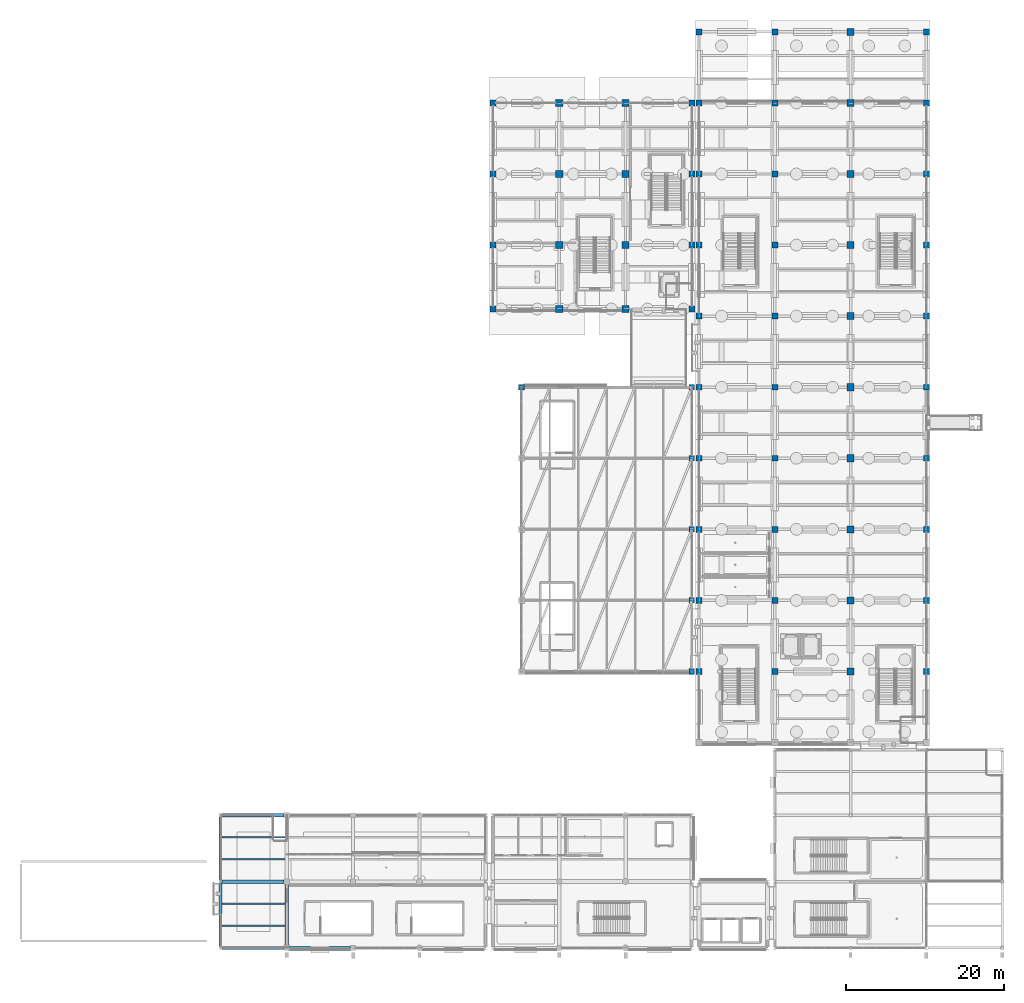
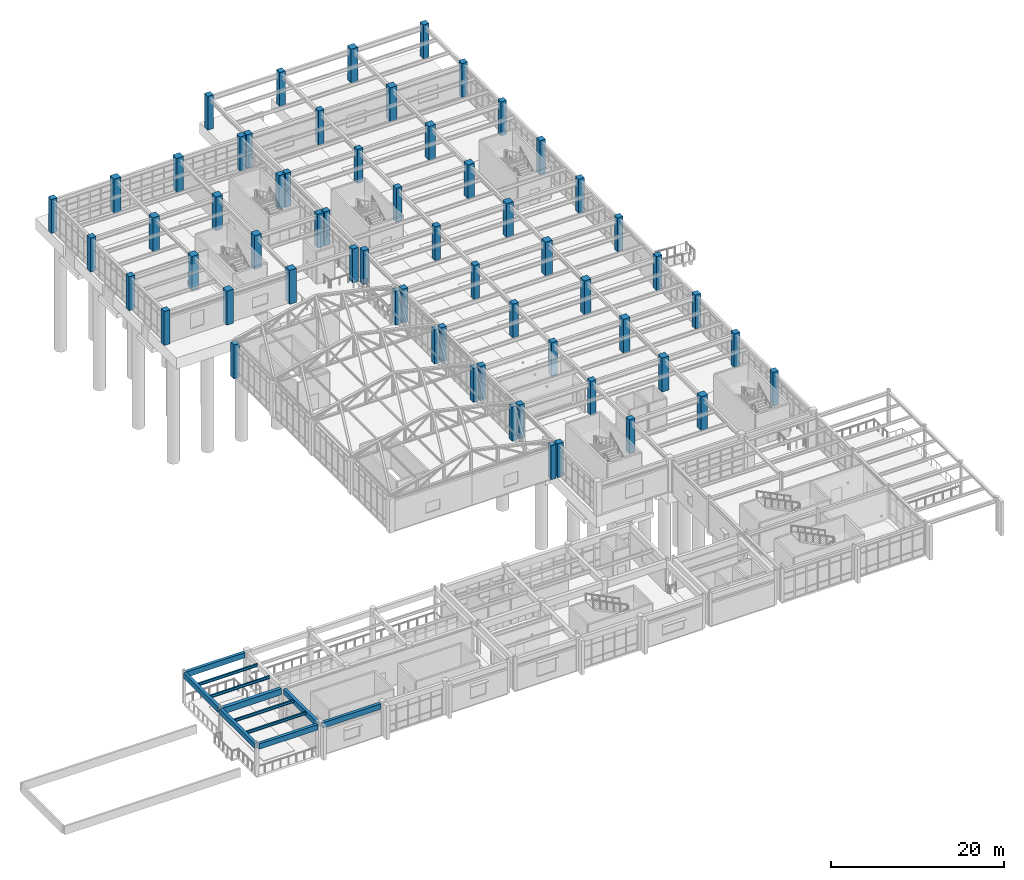
# One storey, part 7 of 139: 62 columns, 11 beams.
"""IFC4 building model written with IfcOpenShell, lengths in metres."""

from ifc_helpers import new_model, si_unit, direction, frame, origin, origin_2d, place, context, subcontext, project, spatial, rectangle, i_section, extrude, material, material_profile, profile_set, type_object, element, save


model = new_model("IFC4")

# Units and contexts
model_context = context("Model", 3, precision=1e-05, world=origin(), true_north=direction((0.0, 1.0)))
body_context = subcontext(model_context, "Body", "Model", "MODEL_VIEW")
ifc_project = project(units=[si_unit("LENGTHUNIT", "METRE"), si_unit("AREAUNIT", "SQUARE_METRE"), si_unit("VOLUMEUNIT", "CUBIC_METRE"), si_unit("PLANEANGLEUNIT", "RADIAN"), si_unit("MASSUNIT", "GRAM", prefix="KILO")], contexts=[model_context])

# Site, building, storey
site_placement = place(None, origin())
site = spatial("IfcSite", under=ifc_project, at=site_placement, CompositionType="ELEMENT")
building_placement = place(site_placement, origin())
building = spatial("IfcBuilding", under=site, at=building_placement, Name="Canglan Escarpment Cableway Terminal", CompositionType="ELEMENT")
storey_placement = place(building_placement, frame((0.0, 0.0, 14.39990234375)))
storey = spatial("IfcBuildingStorey", under=building, at=storey_placement, Name="L03", CompositionType="ELEMENT", Elevation=14.39990234375)

# Columns
ifc_material_1 = material(Name="Concrete C40", Category="concrete")
ifc_material_profile_1 = material_profile(ifc_material_1, rectangle(XDim=0.699951171875, YDim=0.699951171875, at=origin_2d()), Name="RC 700x700")
ifc_profile_set_1 = profile_set([ifc_material_profile_1], Name="Concrete C40")
column_type_1 = type_object("IfcColumnType", Name="COL-RC700-C40", PredefinedType="COLUMN", material=ifc_profile_set_1)
for number, where, z_axis, x_axis, name in (
    (1, (136.699951171875, 43.0, 0.0), (0.0, 0.0, 1.0), (1.0, 0.0, 0.0), "Structural column C-04"),
    (2, (136.699951171875, 52.0, 0.0), (0.0, 0.0, 1.0), (1.0, 0.0, 0.0), "Structural column C-04"),
    (3, (136.699951171875, 61.0, 0.0), (0.0, 0.0, 1.0), (1.0, 0.0, 0.0), "Structural column C-04"),
    (4, (136.699951171875, 70.0, 0.0), (0.0, 0.0, 1.0), (1.0, 0.0, 0.0), "Structural column C-04"),
    (5, (136.699951171875, 79.0, 0.0), (0.0, 0.0, 1.0), (1.0, 0.0, 0.0), "Structural column C-04"),
):
    element("IfcColumn", number, at=place(storey_placement, frame(where, z_axis=z_axis, x_axis=x_axis)), inside=storey, type_object=column_type_1, Name=name, PredefinedType="COLUMN", context=body_context, shape_type="SweptSolid", body=[
        extrude(rectangle(XDim=0.699951171875, YDim=0.699951171875, at=origin_2d()), origin(), (0.0, 0.0, 1.0), 4.800048828125),
    ])
ifc_material_profile_2 = material_profile(ifc_material_1, rectangle(XDim=0.75, YDim=0.75, at=origin_2d()), Name="RC 750x750")
ifc_profile_set_2 = profile_set([ifc_material_profile_2], Name="Concrete C40")
column_type_2 = type_object("IfcColumnType", Name="COL-RC750-C40", PredefinedType="COLUMN", material=ifc_profile_set_2)
for number, where, z_axis, x_axis, name in (
    (6, (115.10009765625, 79.0, 0.0), (0.0, 0.0, 1.0), (1.0, 0.0, 0.0), "Structural column C-03"),
    (7, (111.5, 88.89990234375, 0.0), (0.0, 0.0, 1.0), (1.0, 0.0, 0.0), "Structural column C-03"),
    (8, (111.5, 97.0, 0.0), (0.0, 0.0, 1.0), (1.0, 0.0, 0.0), "Structural column C-03"),
    (9, (111.5, 106.0, 0.0), (0.0, 0.0, 1.0), (1.0, 0.0, 0.0), "Structural column C-03"),
    (10, (111.5, 115.0, 0.0), (0.0, 0.0, 1.0), (1.0, 0.0, 0.0), "Structural column C-03"),
    (11, (136.699951171875, 88.89990234375, 0.0), (0.0, 0.0, 1.0), (1.0, 0.0, 0.0), "Structural column C-03"),
    (12, (136.699951171875, 97.0, 0.0), (0.0, 0.0, 1.0), (1.0, 0.0, 0.0), "Structural column C-03"),
    (13, (136.699951171875, 106.0, 0.0), (0.0, 0.0, 1.0), (1.0, 0.0, 0.0), "Structural column C-03"),
    (14, (136.699951171875, 115.0, 0.0), (0.0, 0.0, 1.0), (1.0, 0.0, 0.0), "Structural column C-03"),
    (15, (137.60009765625, 43.0, 0.0), (0.0, 0.0, 1.0), (1.0, 0.0, 0.0), "Structural column C-03"),
    (16, (137.60009765625, 52.0, 0.0), (0.0, 0.0, 1.0), (1.0, 0.0, 0.0), "Structural column C-03"),
    (17, (137.60009765625, 61.0, 0.0), (0.0, 0.0, 1.0), (1.0, 0.0, 0.0), "Structural column C-03"),
    (18, (137.60009765625, 70.0, 0.0), (0.0, 0.0, 1.0), (1.0, 0.0, 0.0), "Structural column C-03"),
    (19, (137.60009765625, 79.0, 0.0), (0.0, 0.0, 1.0), (1.0, 0.0, 0.0), "Structural column C-03"),
    (20, (137.60009765625, 88.0, 0.0), (0.0, 0.0, 1.0), (1.0, 0.0, 0.0), "Structural column C-03"),
    (21, (137.60009765625, 97.0, 0.0), (0.0, 0.0, 1.0), (1.0, 0.0, 0.0), "Structural column C-03"),
    (22, (137.60009765625, 106.0, 0.0), (0.0, 0.0, 1.0), (1.0, 0.0, 0.0), "Structural column C-03"),
    (23, (137.60009765625, 115.0, 0.0), (0.0, 0.0, 1.0), (1.0, 0.0, 0.0), "Structural column C-03"),
    (24, (137.60009765625, 124.0, 0.0), (0.0, 0.0, 1.0), (1.0, 0.0, 0.0), "Structural column C-03"),
    (25, (147.199951171875, 43.0, 0.0), (0.0, 0.0, 1.0), (1.0, 0.0, 0.0), "Structural column C-03"),
    (26, (147.199951171875, 52.0, 0.0), (0.0, 0.0, 1.0), (1.0, 0.0, 0.0), "Structural column C-03"),
    (27, (147.199951171875, 61.0, 0.0), (0.0, 0.0, 1.0), (1.0, 0.0, 0.0), "Structural column C-03"),
    (28, (147.199951171875, 70.0, 0.0), (0.0, 0.0, 1.0), (1.0, 0.0, 0.0), "Structural column C-03"),
    (29, (147.199951171875, 79.0, 0.0), (0.0, 0.0, 1.0), (1.0, 0.0, 0.0), "Structural column C-03"),
    (30, (147.199951171875, 88.0, 0.0), (0.0, 0.0, 1.0), (1.0, 0.0, 0.0), "Structural column C-03"),
    (31, (147.199951171875, 97.0, 0.0), (0.0, 0.0, 1.0), (1.0, 0.0, 0.0), "Structural column C-03"),
    (32, (147.199951171875, 106.0, 0.0), (0.0, 0.0, 1.0), (1.0, 0.0, 0.0), "Structural column C-03"),
    (33, (147.199951171875, 115.0, 0.0), (0.0, 0.0, 1.0), (1.0, 0.0, 0.0), "Structural column C-03"),
    (34, (147.199951171875, 124.0, 0.0), (0.0, 0.0, 1.0), (1.0, 0.0, 0.0), "Structural column C-03"),
    (35, (166.39990234375, 43.0, 0.0), (0.0, 0.0, 1.0), (1.0, 0.0, 0.0), "Structural column C-03"),
    (36, (166.39990234375, 52.0, 0.0), (0.0, 0.0, 1.0), (1.0, 0.0, 0.0), "Structural column C-03"),
    (37, (166.39990234375, 61.0, 0.0), (0.0, 0.0, 1.0), (1.0, 0.0, 0.0), "Structural column C-03"),
    (38, (166.39990234375, 70.0, 0.0), (0.0, 0.0, 1.0), (1.0, 0.0, 0.0), "Structural column C-03"),
    (39, (166.39990234375, 79.0, 0.0), (0.0, 0.0, 1.0), (1.0, 0.0, 0.0), "Structural column C-03"),
    (40, (166.39990234375, 88.0, 0.0), (0.0, 0.0, 1.0), (1.0, 0.0, 0.0), "Structural column C-03"),
    (41, (166.39990234375, 97.0, 0.0), (0.0, 0.0, 1.0), (1.0, 0.0, 0.0), "Structural column C-03"),
    (42, (166.39990234375, 106.0, 0.0), (0.0, 0.0, 1.0), (1.0, 0.0, 0.0), "Structural column C-03"),
    (43, (166.39990234375, 115.0, 0.0), (0.0, 0.0, 1.0), (1.0, 0.0, 0.0), "Structural column C-03"),
    (44, (166.39990234375, 124.0, 0.0), (0.0, 0.0, 1.0), (1.0, 0.0, 0.0), "Structural column C-03"),
):
    element("IfcColumn", number, at=place(storey_placement, frame(where, z_axis=z_axis, x_axis=x_axis)), inside=storey, type_object=column_type_2, Name=name, PredefinedType="COLUMN", context=body_context, shape_type="SweptSolid", body=[
        extrude(rectangle(XDim=0.75, YDim=0.75, at=origin_2d()), origin(), (0.0, 0.0, 1.0), 4.800048828125),
    ])
ifc_material_2 = material(Name="Concrete C50", Category="concrete")
ifc_material_profile_3 = material_profile(ifc_material_2, rectangle(XDim=0.89990234375, YDim=0.89990234375, at=origin_2d()), Name="RC 900x900")
ifc_profile_set_3 = profile_set([ifc_material_profile_3], Name="Concrete C50")
column_type_3 = type_object("IfcColumnType", Name="COL-RC900-C50", PredefinedType="COLUMN", material=ifc_profile_set_3)
for number, where, z_axis, x_axis, name in (
    (45, (119.89990234375, 88.89990234375, 0.0), (0.0, 0.0, 1.0), (1.0, 0.0, 0.0), "Structural column C-01"),
    (46, (119.89990234375, 97.0, 0.0), (0.0, 0.0, 1.0), (1.0, 0.0, 0.0), "Structural column C-01"),
    (47, (119.89990234375, 106.0, 0.0), (0.0, 0.0, 1.0), (1.0, 0.0, 0.0), "Structural column C-01"),
    (48, (119.89990234375, 115.0, 0.0), (0.0, 0.0, 1.0), (1.0, 0.0, 0.0), "Structural column C-01"),
    (49, (128.300048828125, 88.89990234375, 0.0), (0.0, 0.0, 1.0), (1.0, 0.0, 0.0), "Structural column C-01"),
    (50, (128.300048828125, 97.0, 0.0), (0.0, 0.0, 1.0), (1.0, 0.0, 0.0), "Structural column C-01"),
    (51, (128.300048828125, 106.0, 0.0), (0.0, 0.0, 1.0), (1.0, 0.0, 0.0), "Structural column C-01"),
    (52, (128.300048828125, 115.0, 0.0), (0.0, 0.0, 1.0), (1.0, 0.0, 0.0), "Structural column C-01"),
    (53, (156.800048828125, 43.0, 0.0), (0.0, 0.0, 1.0), (1.0, 0.0, 0.0), "Structural column C-01"),
    (54, (156.800048828125, 52.0, 0.0), (0.0, 0.0, 1.0), (1.0, 0.0, 0.0), "Structural column C-01"),
    (55, (156.800048828125, 61.0, 0.0), (0.0, 0.0, 1.0), (1.0, 0.0, 0.0), "Structural column C-01"),
    (56, (156.800048828125, 70.0, 0.0), (0.0, 0.0, 1.0), (1.0, 0.0, 0.0), "Structural column C-01"),
    (57, (156.800048828125, 79.0, 0.0), (0.0, 0.0, 1.0), (1.0, 0.0, 0.0), "Structural column C-01"),
    (58, (156.800048828125, 88.0, 0.0), (0.0, 0.0, 1.0), (1.0, 0.0, 0.0), "Structural column C-01"),
    (59, (156.800048828125, 97.0, 0.0), (0.0, 0.0, 1.0), (1.0, 0.0, 0.0), "Structural column C-01"),
    (60, (156.800048828125, 106.0, 0.0), (0.0, 0.0, 1.0), (1.0, 0.0, 0.0), "Structural column C-01"),
    (61, (156.800048828125, 115.0, 0.0), (0.0, 0.0, 1.0), (1.0, 0.0, 0.0), "Structural column C-01"),
    (62, (156.800048828125, 124.0, 0.0), (0.0, 0.0, 1.0), (1.0, 0.0, 0.0), "Structural column C-01"),
):
    element("IfcColumn", number, at=place(storey_placement, frame(where, z_axis=z_axis, x_axis=x_axis)), inside=storey, type_object=column_type_3, Name=name, PredefinedType="COLUMN", context=body_context, shape_type="SweptSolid", body=[
        extrude(rectangle(XDim=0.89990234375, YDim=0.89990234375, at=origin_2d()), origin(), (0.0, 0.0, 1.0), 4.800048828125),
    ])

# Beams
ifc_material_profile_4 = material_profile(ifc_material_1, rectangle(XDim=0.39990234375, YDim=0.75, at=origin_2d()), Name="RC 400x750")
ifc_profile_set_4 = profile_set([ifc_material_profile_4], Name="Concrete C40")
beam_type_1 = type_object("IfcBeamType", Name="BM-RC400x750", PredefinedType="BEAM", material=ifc_profile_set_4)
for number, where, z_axis, x_axis, name in (
    (63, (77.0, 8.175048828125, 4.125), (0.0, 1.0, 0.0), (-1.0, 0.0, 0.0), "Primary transverse girder B-03"),
    (64, (77.0, 16.574951171875, 4.125), (0.0, 1.0, 0.0), (-1.0, 0.0, 0.0), "Primary transverse girder B-03"),
):
    element("IfcBeam", number, at=place(storey_placement, frame(where, z_axis=z_axis, x_axis=x_axis)), inside=storey, type_object=beam_type_1, Name=name, PredefinedType="BEAM", context=body_context, shape_type="SweptSolid", body=[
        extrude(rectangle(XDim=0.39990234375, YDim=0.75, at=origin_2d()), origin(), (0.0, 0.0, 1.0), 8.050048828125),
    ])
beam_1_placement = place(storey_placement, frame((85.39990234375, 8.35009765625, 4.125), z_axis=(0.0, 1.0, 0.0), x_axis=(-1.0, 0.0, 0.0)))
element("IfcBeam", 65, at=beam_1_placement, inside=storey, type_object=beam_type_1, Name="Primary transverse girder B-03", PredefinedType="BEAM", context=body_context, shape_type="SweptSolid", body=[
    extrude(rectangle(XDim=0.39990234375, YDim=0.75, at=origin_2d()), origin(), (0.0, 0.0, 1.0), 7.699951171875),
])
ifc_material_profile_5 = material_profile(ifc_material_1, rectangle(XDim=0.449951171875, YDim=0.85009765625, at=origin_2d()), Name="RC 450x850")
ifc_profile_set_5 = profile_set([ifc_material_profile_5], Name="Concrete C40")
beam_type_2 = type_object("IfcBeamType", Name="BM-RC450x850", PredefinedType="BEAM", material=ifc_profile_set_5)
beam_2_placement = place(storey_placement, frame((77.175048828125, 16.39990234375, 4.0751953125), z_axis=(1.0, 0.0, 0.0), x_axis=(0.0, 1.0, 0.0)))
element("IfcBeam", 66, at=beam_2_placement, inside=storey, type_object=beam_type_2, Name="Primary structural girder B-02", PredefinedType="BEAM", context=body_context, shape_type="SweptSolid", body=[
    extrude(rectangle(XDim=0.449951171875, YDim=0.85009765625, at=origin_2d()), origin(), (0.0, 0.0, 1.0), 7.875),
])
ifc_material_3 = material(Name="Steel Q355B", Category="steel")
ifc_material_profile_6 = material_profile(ifc_material_3, i_section(OverallWidth=0.199951171875, OverallDepth=0.39990234375, WebThickness=0.008056640625, FlangeThickness=0.012939453125, FilletRadius=0.01611328125, at=origin_2d()), Name="HN 400x200x8x13")
ifc_profile_set_6 = profile_set([ifc_material_profile_6], Name="Steel Q355B")
beam_type_3 = type_object("IfcBeamType", Name="JS-HN400", PredefinedType="JOIST", material=ifc_profile_set_6)
for number, where, z_axis, x_axis, name in (
    (67, (77.199951171875, 10.800048828125, 4.300048828125), (1.0, 0.0, 0.0), (0.0, 1.0, 0.0), "Secondary composite deck joist J-03"),
    (68, (77.199951171875, 13.60009765625, 4.300048828125), (1.0, 0.0, 0.0), (0.0, 1.0, 0.0), "Secondary composite deck joist J-03"),
    (69, (77.199951171875, 19.199951171875, 4.300048828125), (1.0, 0.0, 0.0), (0.0, 1.0, 0.0), "Secondary composite deck joist J-03"),
    (70, (77.199951171875, 22.0, 4.300048828125), (1.0, 0.0, 0.0), (0.0, 1.0, 0.0), "Secondary composite deck joist J-03"),
):
    element("IfcBeam", number, at=place(storey_placement, frame(where, z_axis=z_axis, x_axis=x_axis)), inside=storey, type_object=beam_type_3, Name=name, PredefinedType="JOIST", context=body_context, shape_type="SweptSolid", body=[
        extrude(i_section(OverallWidth=0.199951171875, OverallDepth=0.39990234375, WebThickness=0.008056640625, FlangeThickness=0.012939453125, FilletRadius=0.01611328125, at=origin_2d()), origin(), (0.0, 0.0, 1.0), 8.0),
    ])
ifc_material_profile_7 = material_profile(ifc_material_1, rectangle(XDim=0.39990234375, YDim=0.75, at=origin_2d()), Name="RC 400x750")
ifc_profile_set_7 = profile_set([ifc_material_profile_7], Name="Concrete C40")
beam_type_4 = type_object("IfcBeamType", Name="SP-RC400x750", PredefinedType="SPANDREL", material=ifc_profile_set_7)
beam_3_placement = place(storey_placement, frame((77.175048828125, 8.0, 4.125), z_axis=(1.0, 0.0, 0.0), x_axis=(0.0, 1.0, 0.0)))
element("IfcBeam", 71, at=beam_3_placement, inside=storey, type_object=beam_type_4, Name="Primary structural girder SP-01", PredefinedType="SPANDREL", context=body_context, shape_type="SweptSolid", body=[
    extrude(rectangle(XDim=0.39990234375, YDim=0.75, at=origin_2d()), origin(), (0.0, 0.0, 1.0), 7.875),
])
beam_4_placement = place(storey_placement, frame((85.75, 8.0, 4.125), z_axis=(1.0, 0.0, 0.0), x_axis=(0.0, 1.0, 0.0)))
element("IfcBeam", 72, at=beam_4_placement, inside=storey, type_object=beam_type_4, Name="Primary structural girder SP-01", PredefinedType="SPANDREL", context=body_context, shape_type="SweptSolid", body=[
    extrude(rectangle(XDim=0.39990234375, YDim=0.75, at=origin_2d()), origin(), (0.0, 0.0, 1.0), 7.75),
])
beam_5_placement = place(storey_placement, frame((77.175048828125, 24.800048828125, 4.125), z_axis=(1.0, 0.0, 0.0), x_axis=(0.0, 1.0, 0.0)))
element("IfcBeam", 73, at=beam_5_placement, inside=storey, type_object=beam_type_4, Name="Primary structural girder SP-01", PredefinedType="SPANDREL", context=body_context, shape_type="SweptSolid", body=[
    extrude(rectangle(XDim=0.39990234375, YDim=0.75, at=origin_2d()), origin(), (0.0, 0.0, 1.0), 7.875),
])

save(model, "model.ifc")
